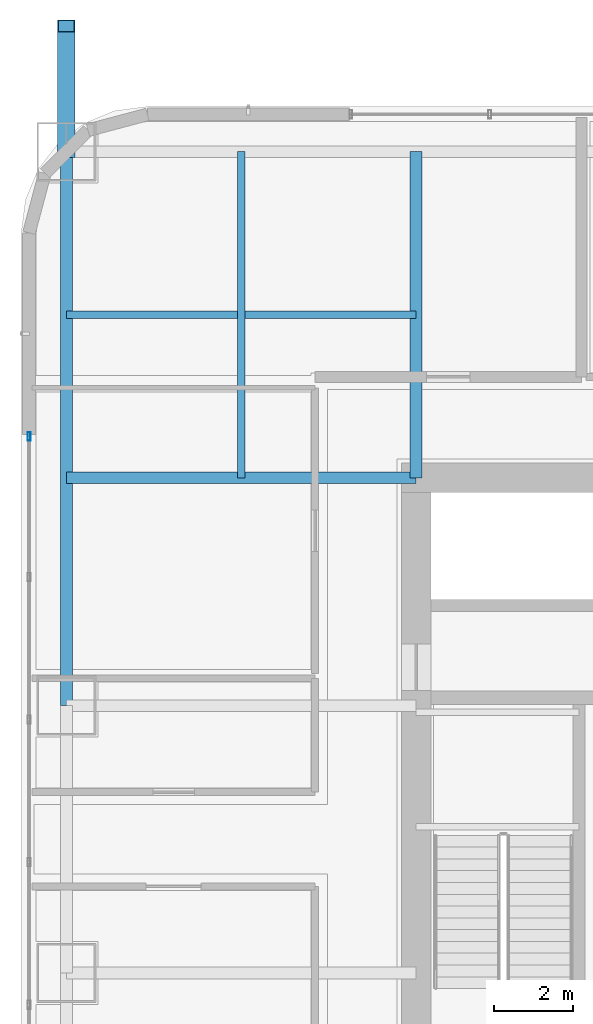
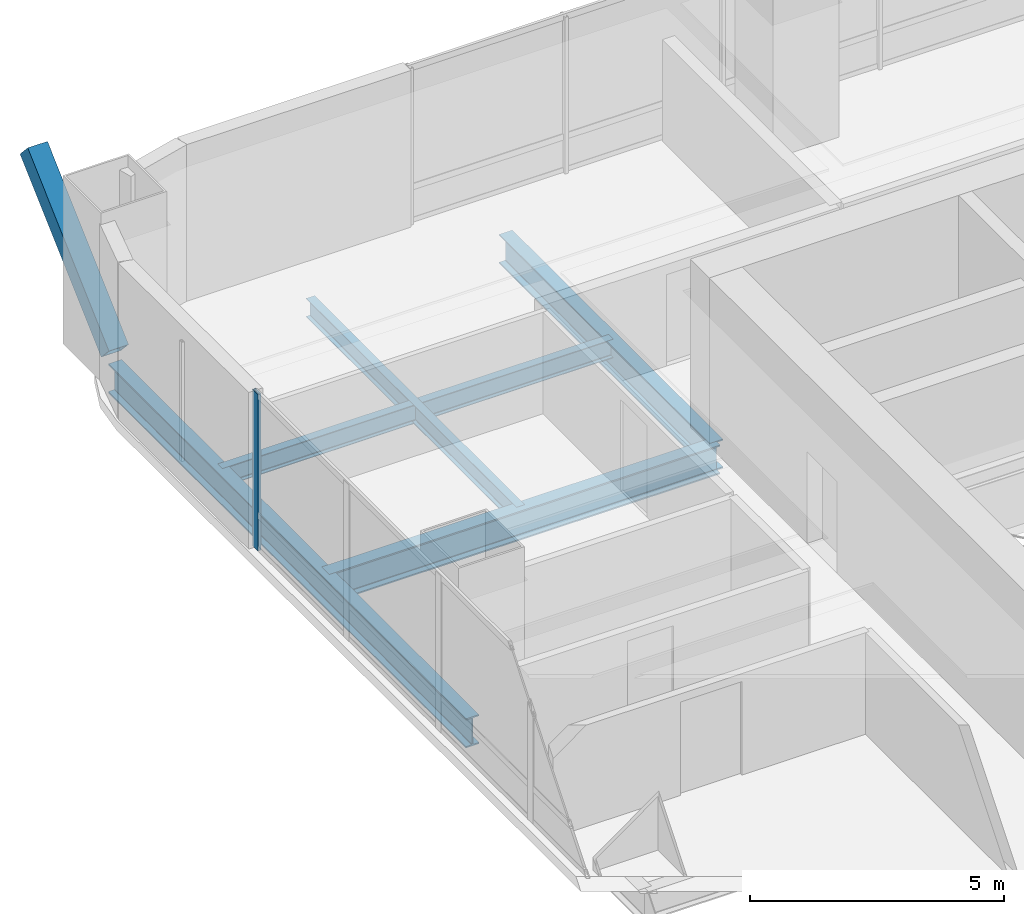
# One storey, part 18 of 42: 5 beams, 2 members, 1 element without a shape of its own.
"""IFC4 building model written with IfcOpenShell, lengths in metres."""

import ifcopenshell
import ifcopenshell.guid

model = None  # the IFC model being written
_history = None  # IfcOwnerHistory: only IFC2X3 demands one
_inside = {}  # id of a spatial element -> (the spatial element, [elements in it])
_under = {}  # id of a project, library or spatial element -> (it, [spatial elements below it])
_declared = {}  # id of a project -> (the project, [libraries it declares])
_typed = {}  # id of a type object -> (the type object, [elements of that type])
_made_of = {}  # id of a material, layer set ... -> (it, [elements and type objects made of it])


def new_model(schema):
    """Start an empty IFC model of exactly this schema.

    Asked for "IFC4X3", IfcOpenShell would pick the latest addendum, in which some entities
    have other attributes; the version numbers below select the first issue.
    IFC2X3 requires an IfcOwnerHistory on every rooted entity: one is made here for all.
    """
    global model, _history
    if schema == "IFC4X3":
        model = ifcopenshell.file(schema_version=(4, 3, 0, 0))
    else:
        model = ifcopenshell.file(schema=schema)
    _inside.clear()
    _under.clear()
    _declared.clear()
    _typed.clear()
    _made_of.clear()
    _history = None
    if model.schema == "IFC2X3":
        org = make("IfcOrganization", Name="unknown")
        user = make(
            "IfcPersonAndOrganization",
            ThePerson=make("IfcPerson", FamilyName="unknown"),
            TheOrganization=org,
        )
        app = make(
            "IfcApplication",
            ApplicationDeveloper=org,
            Version="unknown",
            ApplicationFullName="unknown",
            ApplicationIdentifier="unknown",
        )
        _history = make(
            "IfcOwnerHistory",
            OwningUser=user,
            OwningApplication=app,
            ChangeAction="ADDED",
            CreationDate=0,
        )
    return model


def make(cls, **values):
    """One entity of the class cls with the attributes given. An attribute that is None is left unset."""
    return model.create_entity(
        cls, **{name: value for name, value in values.items() if value is not None}
    )


def rooted(cls, **values):
    """An entity with a GlobalId (a new one), such as an element, a storey or a relation."""
    return make(cls, GlobalId=ifcopenshell.guid.new(), OwnerHistory=_history, **values)


def si_unit(unit_type, name, prefix=None):
    """IfcSIUnit, for example si_unit("LENGTHUNIT", "METRE", prefix="MILLI")."""
    return make("IfcSIUnit", UnitType=unit_type, Prefix=prefix, Name=name)


def assignment(units):
    """IfcUnitAssignment: the units of a project."""
    return None if units is None else make("IfcUnitAssignment", Units=units)


def point(xyz):
    """IfcCartesianPoint."""
    return None if xyz is None else make("IfcCartesianPoint", Coordinates=xyz)


def direction(xyz):
    """IfcDirection."""
    return None if xyz is None else make("IfcDirection", DirectionRatios=xyz)


def frame(location, z_axis=None, x_axis=None):
    """IfcAxis2Placement3D, a coordinate frame: its origin and axes. An axis left out is left unset."""
    return make(
        "IfcAxis2Placement3D",
        Location=point(location),
        Axis=direction(z_axis),
        RefDirection=direction(x_axis),
    )


def frame_2d(location, x_axis=None):
    """IfcAxis2Placement2D, a coordinate frame in the plane: its origin and x axis."""
    return make(
        "IfcAxis2Placement2D", Location=point(location), RefDirection=direction(x_axis)
    )


def origin():
    """The frame at (0, 0, 0) with its axes left unset."""
    return frame((0.0, 0.0, 0.0))


def origin_2d():
    """The frame at (0, 0) in the plane with its x axis left unset."""
    return frame_2d((0.0, 0.0))


def place(relative_to, where):
    """IfcLocalPlacement: puts the frame where relative to a parent placement (None: the world)."""
    return make(
        "IfcLocalPlacement", PlacementRelTo=relative_to, RelativePlacement=where
    )


def context(
    kind, dimensions, precision=None, world=None, true_north=None, identifier=None
):
    """IfcGeometricRepresentationContext, for example the 3D "Model" context."""
    return make(
        "IfcGeometricRepresentationContext",
        ContextIdentifier=identifier,
        ContextType=kind,
        CoordinateSpaceDimension=dimensions,
        Precision=precision,
        WorldCoordinateSystem=world,
        TrueNorth=true_north,
    )


def subcontext(parent, identifier, kind, view, scale=None):
    """IfcGeometricRepresentationSubContext, for example "Body" below "Model"."""
    return make(
        "IfcGeometricRepresentationSubContext",
        ContextIdentifier=identifier,
        ContextType=kind,
        ParentContext=parent,
        TargetScale=scale,
        TargetView=view,
    )


def project(units=None, contexts=None):
    """IfcProject with its units and contexts."""
    return rooted(
        "IfcProject",
        Name="project",
        RepresentationContexts=contexts,
        UnitsInContext=assignment(units),
    )


def spatial(cls, under=None, at=None, **own):
    """A site, building, storey or space (cls), placed at a placement, below another one or the project."""
    s = rooted(cls, ObjectPlacement=at, **own)
    if under is not None:
        _under.setdefault(under.id(), (under, []))[1].append(s)
    return s


def profile(cls, at=None, kind="AREA", **sizes):
    """A parametric profile (cls). Its sizes go by their IFC names, for example OverallWidth=200.0."""
    return make(cls, ProfileType=kind, Position=at, **sizes)


def hollow_rectangle(**sizes):
    """IfcRectangleHollowProfileDef."""
    return profile("IfcRectangleHollowProfileDef", **sizes)


def i_section(**sizes):
    """IfcIShapeProfileDef."""
    return profile("IfcIShapeProfileDef", **sizes)


def extrude(swept, where, along, depth):
    """IfcExtrudedAreaSolid: the profile swept, set in the frame where, extruded along a direction by depth."""
    return make(
        "IfcExtrudedAreaSolid",
        SweptArea=swept,
        Position=where,
        ExtrudedDirection=direction(along),
        Depth=depth,
    )


def shape(context_of_items, identifier, shape_type, items):
    """IfcShapeRepresentation: the items that make up one representation, for example the "Body"."""
    return make(
        "IfcShapeRepresentation",
        ContextOfItems=context_of_items,
        RepresentationIdentifier=identifier,
        RepresentationType=shape_type,
        Items=items,
    )


def material(Name=None, Category=None):
    """IfcMaterial."""
    return make("IfcMaterial", Name=Name, Category=Category)


def material_profile(
    of_material, cross_section, Name=None, Category=None, Priority=None
):
    """IfcMaterialProfile: a cross section and its material."""
    return make(
        "IfcMaterialProfile",
        Name=Name,
        Material=of_material,
        Profile=cross_section,
        Priority=Priority,
        Category=Category,
    )


def profile_set(profiles, Name=None, composite=None):
    """IfcMaterialProfileSet."""
    return make(
        "IfcMaterialProfileSet",
        Name=Name,
        MaterialProfiles=profiles,
        CompositeProfile=composite,
    )


def made_of(thing, what):
    """Note that an element or type object is made of a material, layer set ...; save() writes the relation."""
    if what is not None:
        _made_of.setdefault(what.id(), (what, []))[1].append(thing)
    return thing


def type_object(cls, material=None, **own):
    """A type object (cls), such as IfcWallType, which elements share."""
    return made_of(rooted(cls, **own), material)


def element(
    cls,
    number,
    at=None,
    inside=None,
    cuts=None,
    type_object=None,
    material=None,
    context=None,
    identifier="Body",
    shape_type=None,
    held_by="IfcProductDefinitionShape",
    body=None,
    shapes=None,
    **own,
):
    """One element of the class cls, such as IfcWall. Its Tag is "e" and its number.

    at: its placement. inside: the storey or other place that contains it. cuts: it is an
    opening in that element (IfcRelVoidsElement). A single representation is given by context,
    identifier, shape_type and body (its items); several are given by shapes. held_by: the class
    of the entity that holds the representations. save() writes the other relations.
    """
    e = rooted(cls, Tag="e%d" % number, ObjectPlacement=at, **own)
    if body is not None:
        shapes = [shape(context, identifier, shape_type, body)]
    if shapes is not None:
        e.Representation = make(held_by, Representations=shapes)
    if inside is not None:
        _inside.setdefault(inside.id(), (inside, []))[1].append(e)
    if cuts is not None:
        rooted(
            "IfcRelVoidsElement", RelatingBuildingElement=cuts, RelatedOpeningElement=e
        )
    if type_object is not None:
        _typed.setdefault(type_object.id(), (type_object, []))[1].append(e)
    return made_of(e, material)


def aggregate(whole, parts):
    """IfcRelAggregates: a whole, such as a stair, and the parts it consists of."""
    return rooted("IfcRelAggregates", RelatingObject=whole, RelatedObjects=parts)


def save(model, path):
    """Write the relations noted so far, then the file.

    IfcRelAggregates (storeys below a building ...), IfcRelContainedInSpatialStructure (elements
    in a storey), IfcRelDefinesByType, IfcRelAssociatesMaterial and IfcRelDeclares: one each for
    every whole, place, type object, material and project.
    """
    for whole, parts in _under.values():
        aggregate(whole, parts)
    for where, things in _inside.values():
        rooted(
            "IfcRelContainedInSpatialStructure",
            RelatedElements=things,
            RelatingStructure=where,
        )
    for kind, things in _typed.values():
        rooted("IfcRelDefinesByType", RelatedObjects=things, RelatingType=kind)
    for what, things in _made_of.values():
        rooted("IfcRelAssociatesMaterial", RelatedObjects=things, RelatingMaterial=what)
    for by, libraries in _declared.values():
        rooted("IfcRelDeclares", RelatingContext=by, RelatedDefinitions=libraries)
    model.write(path)


model = new_model("IFC4")

# Units and contexts
model_context = context("Model", 3, precision=1e-05, world=origin(), true_north=direction((0.0, 1.0)))
body_context = subcontext(model_context, "Body", "Model", "MODEL_VIEW")
ifc_project = project(units=[si_unit("LENGTHUNIT", "METRE"), si_unit("AREAUNIT", "SQUARE_METRE"), si_unit("VOLUMEUNIT", "CUBIC_METRE"), si_unit("PLANEANGLEUNIT", "RADIAN"), si_unit("MASSUNIT", "GRAM", prefix="KILO")], contexts=[model_context])

# Site, building, storey
site_placement = place(None, origin())
site = spatial("IfcSite", under=ifc_project, at=site_placement, CompositionType="ELEMENT")
building_placement = place(site_placement, origin())
building = spatial("IfcBuilding", under=site, at=building_placement, Name="Punatoya Terracotta Tower", CompositionType="ELEMENT")
storey_placement = place(building_placement, frame((0.0, 0.0, 88.949951171875)))
storey = spatial("IfcBuildingStorey", under=building, at=storey_placement, Name="L20", CompositionType="ELEMENT", Elevation=88.949951171875)

# Beams
ifc_material_1 = material(Name="Steel S355", Category="steel")
ifc_material_profile_1 = material_profile(ifc_material_1, i_section(OverallWidth=0.300048828125, OverallDepth=0.699951171875, WebThickness=0.01708984375, FlangeThickness=0.031982421875, FilletRadius=0.01806640625, at=origin_2d()))
ifc_profile_set_1 = profile_set([ifc_material_profile_1], Name="Steel S355")
beam_type_1 = type_object("IfcBeamType", Name="BM-PRI-700", PredefinedType="BEAM", material=ifc_profile_set_1)
beam_1_placement = place(storey_placement, frame((-19.10009765625, 3.39990234375, -0.58984375), z_axis=(0.0, 1.0, 0.0), x_axis=(-1.0, 0.0, 0.0)))
element("IfcBeam", 1, at=beam_1_placement, inside=storey, type_object=beam_type_1, Name="BM-L20-RG-W3", PredefinedType="BEAM", context=body_context, shape_type="SweptSolid", body=[
    extrude(i_section(OverallWidth=0.300048828125, OverallDepth=0.699951171875, WebThickness=0.01708984375, FlangeThickness=0.031982421875, FilletRadius=0.01806640625, at=origin_2d()), origin(), (0.0, 0.0, 1.0), 14.10009765625),
])
beam_2_placement = place(storey_placement, frame((-19.10009765625, 9.199951171875, -0.58984375), z_axis=(1.0, 0.0, 0.0), x_axis=(0.0, 1.0, 0.0)))
element("IfcBeam", 2, at=beam_2_placement, inside=storey, type_object=beam_type_1, Name="BM-L20-PR-WN", PredefinedType="BEAM", context=body_context, shape_type="SweptSolid", body=[
    extrude(i_section(OverallWidth=0.300048828125, OverallDepth=0.699951171875, WebThickness=0.01708984375, FlangeThickness=0.031982421875, FilletRadius=0.01806640625, at=origin_2d()), origin(), (0.0, 0.0, 1.0), 8.900146484375),
])
beam_3_placement = place(storey_placement, frame((-10.199951171875, 9.199951171875, -0.58984375), z_axis=(0.0, 1.0, 0.0), x_axis=(-1.0, 0.0, 0.0)))
element("IfcBeam", 3, at=beam_3_placement, inside=storey, type_object=beam_type_1, Name="BM-L20-PR-N1", PredefinedType="BEAM", context=body_context, shape_type="SweptSolid", body=[
    extrude(i_section(OverallWidth=0.300048828125, OverallDepth=0.699951171875, WebThickness=0.01708984375, FlangeThickness=0.031982421875, FilletRadius=0.01806640625, at=origin_2d()), origin(), (0.0, 0.0, 1.0), 8.300048828125),
])
ifc_material_profile_2 = material_profile(ifc_material_1, i_section(OverallWidth=0.18994140625, OverallDepth=0.449951171875, WebThickness=0.009521484375, FlangeThickness=0.0146484375, FilletRadius=0.01806640625, at=origin_2d()))
ifc_profile_set_2 = profile_set([ifc_material_profile_2], Name="Steel S355")
beam_type_2 = type_object("IfcBeamType", Name="BM-SEC-450", PredefinedType="JOIST", material=ifc_profile_set_2)
beam_4_placement = place(storey_placement, frame((-19.10009765625, 13.35009765625, -0.46484375), z_axis=(1.0, 0.0, 0.0), x_axis=(0.0, 1.0, 0.0)))
element("IfcBeam", 4, at=beam_4_placement, inside=storey, type_object=beam_type_2, Name="BM-L20-SJN-1", PredefinedType="JOIST", context=body_context, shape_type="SweptSolid", body=[
    extrude(i_section(OverallWidth=0.18994140625, OverallDepth=0.449951171875, WebThickness=0.009521484375, FlangeThickness=0.0146484375, FilletRadius=0.01806640625, at=origin_2d()), origin(), (0.0, 0.0, 1.0), 8.900146484375),
])
beam_5_placement = place(storey_placement, frame((-14.64990234375, 9.199951171875, -0.46484375), z_axis=(0.0, 1.0, 0.0), x_axis=(-1.0, 0.0, 0.0)))
element("IfcBeam", 5, at=beam_5_placement, inside=storey, type_object=beam_type_2, Name="BM-L20-SJW-2", PredefinedType="JOIST", context=body_context, shape_type="SweptSolid", body=[
    extrude(i_section(OverallWidth=0.18994140625, OverallDepth=0.449951171875, WebThickness=0.009521484375, FlangeThickness=0.0146484375, FilletRadius=0.01806640625, at=origin_2d()), origin(), (0.0, 0.0, 1.0), 8.300048828125),
])

# Curtain wall, member
ifc_material_2 = material(Name="Aluminium 6063-T6 + Double Low-E Glass", Category="aluminium")
curtain_wall_type = type_object("IfcCurtainWallType", Name="CW-M1", PredefinedType="NOTDEFINED", material=ifc_material_2)
curtain_wall_placement = place(storey_placement, origin())
curtain_wall = element("IfcCurtainWall", 6, at=curtain_wall_placement, inside=storey, type_object=curtain_wall_type, Name="L20 Curtain Wall CW-L20-W13-1", PredefinedType="NOTDEFINED")
ifc_material_3 = material(Name="Aluminium 6063-T6", Category="aluminium")
ifc_material_profile_3 = material_profile(ifc_material_3, hollow_rectangle(XDim=0.074951171875, YDim=0.2099609375, WallThickness=0.00439453125, at=origin_2d()))
ifc_profile_set_3 = profile_set([ifc_material_profile_3], Name="Aluminium 6063-T6")
member_type_1 = type_object("IfcMemberType", Name="CW-MUL-M1", PredefinedType="MULLION", material=ifc_profile_set_3)
member_1_placement = place(storey_placement, frame((-20.050048828125, 10.2548828125, 0.0), z_axis=(0.0, 0.0, 1.0), x_axis=(1.0, 0.0, 0.0)))
member_1 = element("IfcMember", 7, at=member_1_placement, type_object=member_type_1, Name="CW-L20-W13-1 Mullion 00", PredefinedType="MULLION", context=body_context, shape_type="SweptSolid", body=[
    extrude(hollow_rectangle(XDim=0.074951171875, YDim=0.2099609375, WallThickness=0.00439453125, at=origin_2d()), origin(), (0.0, 0.0, 1.0), 3.77001953125),
])
aggregate(curtain_wall, [member_1])

# Member
ifc_material_4 = material(Name="Steel S460", Category="steel")
ifc_material_profile_4 = material_profile(ifc_material_4, hollow_rectangle(XDim=0.449951171875, YDim=0.449951171875, WallThickness=0.02490234375, at=origin_2d()))
ifc_profile_set_4 = profile_set([ifc_material_profile_4], Name="Steel S460")
member_type_2 = type_object("IfcMemberType", Name="MEM-STR-450", PredefinedType="STRUT", material=ifc_profile_set_4)
member_2_placement = place(storey_placement, frame((-19.10009765625, 17.5, 0.02001953125), z_axis=(0.0, 0.735244168043, 0.677802340922), x_axis=(-1.0, 0.0, 0.0)))
element("IfcMember", 8, at=member_2_placement, inside=storey, type_object=member_type_2, Name="L21 Cantilever Raking Knee-Strut N1", PredefinedType="STRUT", context=body_context, shape_type="SweptSolid", body=[
    extrude(hollow_rectangle(XDim=0.449951171875, YDim=0.449951171875, WallThickness=0.02490234375, at=origin_2d()), origin(), (0.0, 0.0, 1.0), 4.352294921875),
])

save(model, "model.ifc")
